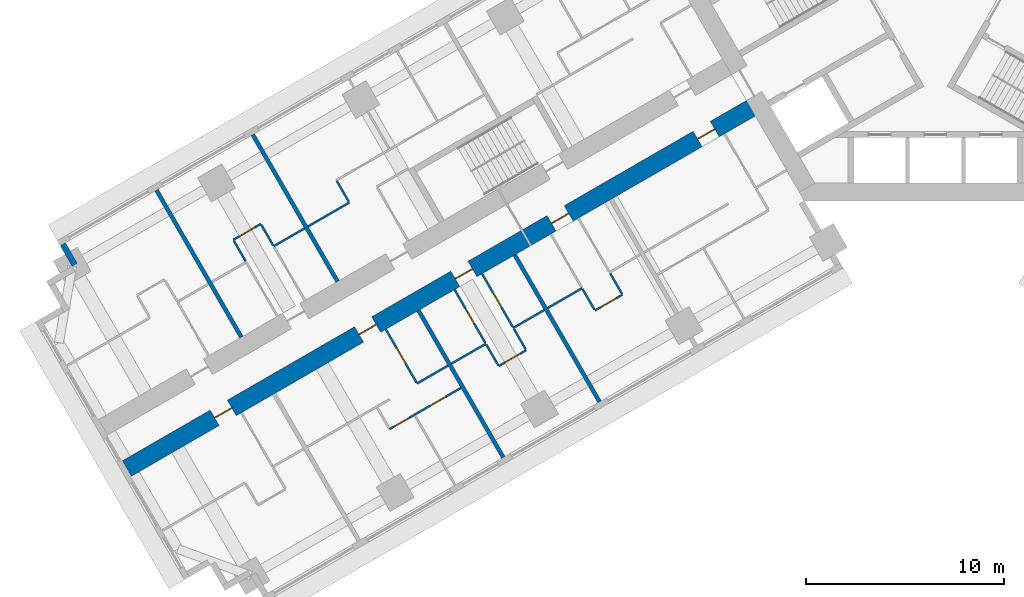
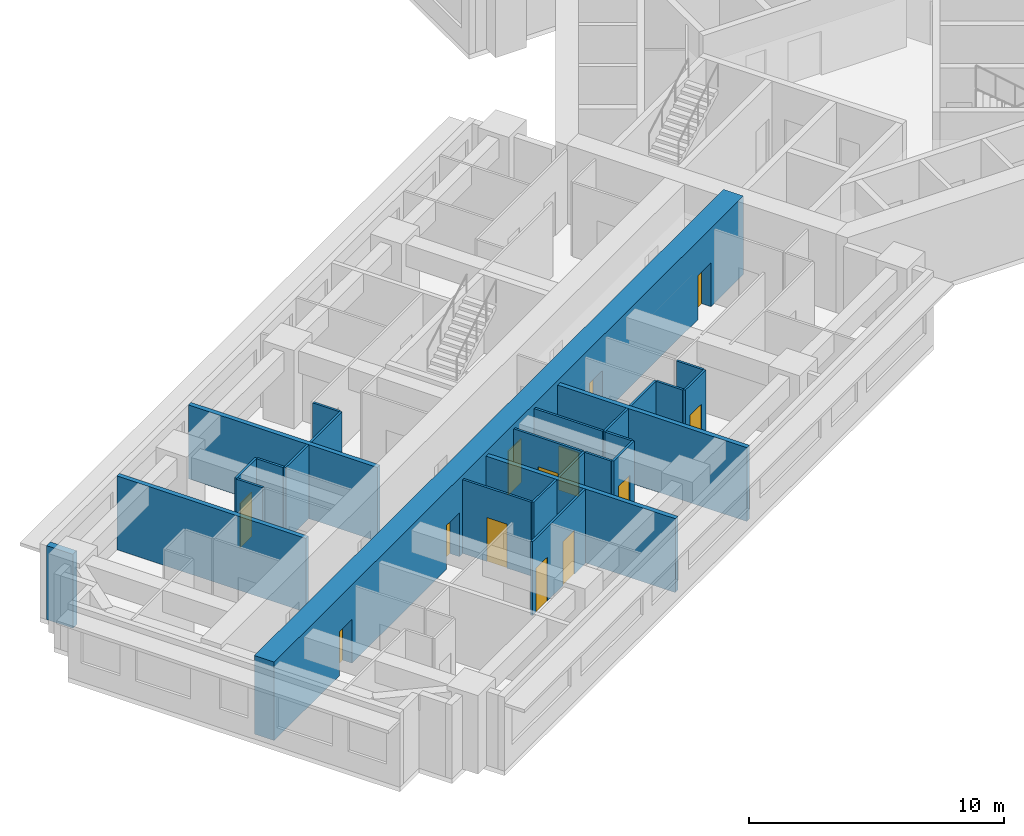
# One storey, part 4 of 16: 26 walls, 13 doors, 13 openings.
"""IFC4 building model written with IfcOpenShell, lengths in metres."""

from ifc_helpers import new_model, si_unit, direction, frame, frame_2d, origin, place, context, subcontext, project, spatial, rectangle, extrude, material, layer, layer_set, type_object, element, fill, save


model = new_model("IFC4")

# Units and contexts
model_context = context("Model", 3, precision=1e-05, world=origin(), true_north=direction((0.0, 1.0)))
body_context = subcontext(model_context, "Body", "Model", "MODEL_VIEW")
ifc_project = project(units=[si_unit("LENGTHUNIT", "METRE"), si_unit("AREAUNIT", "SQUARE_METRE"), si_unit("VOLUMEUNIT", "CUBIC_METRE"), si_unit("PLANEANGLEUNIT", "RADIAN"), si_unit("MASSUNIT", "GRAM", prefix="KILO")], contexts=[model_context])

# Site, building, storey
site_placement = place(None, origin())
site = spatial("IfcSite", under=ifc_project, at=site_placement, CompositionType="ELEMENT")
building_placement = place(site_placement, origin())
building = spatial("IfcBuilding", under=site, at=building_placement, Name="Impinga Residences", CompositionType="ELEMENT")
storey_placement = place(building_placement, frame((0.0, 0.0, 59.75)))
storey = spatial("IfcBuildingStorey", under=building, at=storey_placement, Name="L14", CompositionType="ELEMENT", Elevation=59.75)

# Wall, openings, doors
ifc_material_1 = material(Name="Concrete C70/85", Category="concrete")
ifc_layer_1 = layer(ifc_material_1, 0.89990234375)
ifc_layer_set_1 = layer_set([ifc_layer_1], Name="Concrete C70/85")
wall_type_1 = type_object("IfcWallType", Name="BW1 corridor buttress wall, L05 to L22 900", PredefinedType="SHEAR", material=ifc_layer_set_1)
wall_1_placement = place(storey_placement, frame((-8.910400390625, -6.530029296875, 0.0), z_axis=(0.0, 0.0, 1.0), x_axis=(-0.866025284237, -0.500000207062, 0.0)))
wall_1 = element("IfcWall", 1, at=wall_1_placement, inside=storey, type_object=wall_type_1, Name="Corridor wall BW1 WC L14", PredefinedType="SHEAR", context=body_context, shape_type="SweptSolid", body=[
    extrude(rectangle(XDim=36.75, YDim=0.89990234375, at=frame_2d((18.375, 0.0))), origin(), (0.0, 0.0, 1.0), 3.75),
])
opening_1_placement = place(wall_1_placement, frame((2.550048828125, 0.0, 0.0)))
opening_1 = element("IfcOpeningElement", 2, at=opening_1_placement, cuts=wall_1, Name="Opening D1", PredefinedType="OPENING", context=body_context, shape_type="SweptSolid", body=[
    extrude(rectangle(XDim=1.0, YDim=2.10009765625, at=frame_2d((0.5, 1.050048828125))), frame((0.0, 0.4599609375, 0.0), z_axis=(0.0, -1.0, 0.0), x_axis=(1.0, 0.0, 0.0)), (0.0, 0.0, 1.0), 0.919921875),
])
opening_2_placement = place(wall_1_placement, frame((11.050048828125, 0.0, 0.0)))
opening_2 = element("IfcOpeningElement", 3, at=opening_2_placement, cuts=wall_1, Name="Opening D1", PredefinedType="OPENING", context=body_context, shape_type="SweptSolid", body=[
    extrude(rectangle(XDim=1.0, YDim=2.10009765625, at=frame_2d((0.5, 1.050048828125))), frame((0.0, 0.4599609375, 0.0), z_axis=(0.0, -1.0, 0.0), x_axis=(1.0, 0.0, 0.0)), (0.0, 0.0, 1.0), 0.919921875),
])
opening_3_placement = place(wall_1_placement, frame((16.64990234375, 0.0, 0.0)))
opening_3 = element("IfcOpeningElement", 4, at=opening_3_placement, cuts=wall_1, Name="Opening D1", PredefinedType="OPENING", context=body_context, shape_type="SweptSolid", body=[
    extrude(rectangle(XDim=1.0, YDim=2.10009765625, at=frame_2d((0.5, 1.050048828125))), frame((0.0, 0.4599609375, 0.0), z_axis=(0.0, -1.0, 0.0), x_axis=(1.0, 0.0, 0.0)), (0.0, 0.0, 1.0), 0.919921875),
])
opening_4_placement = place(wall_1_placement, frame((22.25, 0.0, 0.0)))
opening_4 = element("IfcOpeningElement", 5, at=opening_4_placement, cuts=wall_1, Name="Opening D1", PredefinedType="OPENING", context=body_context, shape_type="SweptSolid", body=[
    extrude(rectangle(XDim=1.0, YDim=2.10009765625, at=frame_2d((0.5, 1.050048828125))), frame((0.0, 0.4599609375, 0.0), z_axis=(0.0, -1.0, 0.0), x_axis=(1.0, 0.0, 0.0)), (0.0, 0.0, 1.0), 0.919921875),
])
opening_5_placement = place(wall_1_placement, frame((30.64990234375, 0.0, 0.0)))
opening_5 = element("IfcOpeningElement", 6, at=opening_5_placement, cuts=wall_1, Name="Opening D1", PredefinedType="OPENING", context=body_context, shape_type="SweptSolid", body=[
    extrude(rectangle(XDim=1.0, YDim=2.10009765625, at=frame_2d((0.5, 1.050048828125))), frame((0.0, 0.4599609375, 0.0), z_axis=(0.0, -1.0, 0.0), x_axis=(1.0, 0.0, 0.0)), (0.0, 0.0, 1.0), 0.919921875),
])
ifc_material_2 = material(Name="Timber door set", Category="wood")
door_type_1 = type_object("IfcDoorType", Name="D1 apartment entrance door 1000x2100", OperationType="SINGLE_SWING_LEFT", PredefinedType="DOOR", material=ifc_material_2)
door_1_placement = place(opening_1_placement, origin())
door_1 = element("IfcDoor", 7, at=door_1_placement, inside=storey, type_object=door_type_1, Name="Apartment L14-WA1 entrance", OperationType="SINGLE_SWING_LEFT", OverallHeight=2.10009765625, OverallWidth=1.0, PredefinedType="DOOR", context=body_context, shape_type="SweptSolid", body=[
    extrude(rectangle(XDim=1.0, YDim=2.10009765625, at=frame_2d((0.5, 1.050048828125))), frame((0.0, 0.02490234375, 0.0), z_axis=(0.0, -1.0, 0.0), x_axis=(1.0, 0.0, 0.0)), (0.0, 0.0, 1.0), 0.050048828125),
])
fill(opening_1, door_1)
door_2_placement = place(opening_2_placement, origin())
door_2 = element("IfcDoor", 8, at=door_2_placement, inside=storey, type_object=door_type_1, Name="Apartment L14-WA2 entrance", OperationType="SINGLE_SWING_LEFT", OverallHeight=2.10009765625, OverallWidth=1.0, PredefinedType="DOOR", context=body_context, shape_type="SweptSolid", body=[
    extrude(rectangle(XDim=1.0, YDim=2.10009765625, at=frame_2d((0.5, 1.050048828125))), frame((0.0, 0.02490234375, 0.0), z_axis=(0.0, -1.0, 0.0), x_axis=(1.0, 0.0, 0.0)), (0.0, 0.0, 1.0), 0.050048828125),
])
fill(opening_2, door_2)
door_3_placement = place(opening_3_placement, origin())
door_3 = element("IfcDoor", 9, at=door_3_placement, inside=storey, type_object=door_type_1, Name="Apartment L14-WA3 entrance", OperationType="SINGLE_SWING_LEFT", OverallHeight=2.10009765625, OverallWidth=1.0, PredefinedType="DOOR", context=body_context, shape_type="SweptSolid", body=[
    extrude(rectangle(XDim=1.0, YDim=2.10009765625, at=frame_2d((0.5, 1.050048828125))), frame((0.0, 0.02490234375, 0.0), z_axis=(0.0, -1.0, 0.0), x_axis=(1.0, 0.0, 0.0)), (0.0, 0.0, 1.0), 0.050048828125),
])
fill(opening_3, door_3)
door_4_placement = place(opening_4_placement, origin())
door_4 = element("IfcDoor", 10, at=door_4_placement, inside=storey, type_object=door_type_1, Name="Apartment L14-WA4 entrance", OperationType="SINGLE_SWING_RIGHT", OverallHeight=2.10009765625, OverallWidth=1.0, PredefinedType="DOOR", context=body_context, shape_type="SweptSolid", body=[
    extrude(rectangle(XDim=1.0, YDim=2.10009765625, at=frame_2d((0.5, 1.050048828125))), frame((0.0, 0.02490234375, 0.0), z_axis=(0.0, -1.0, 0.0), x_axis=(1.0, 0.0, 0.0)), (0.0, 0.0, 1.0), 0.050048828125),
])
fill(opening_4, door_4)
door_5_placement = place(opening_5_placement, origin())
door_5 = element("IfcDoor", 11, at=door_5_placement, inside=storey, type_object=door_type_1, Name="Apartment L14-WA5 entrance", OperationType="SINGLE_SWING_RIGHT", OverallHeight=2.10009765625, OverallWidth=1.0, PredefinedType="DOOR", context=body_context, shape_type="SweptSolid", body=[
    extrude(rectangle(XDim=1.0, YDim=2.10009765625, at=frame_2d((0.5, 1.050048828125))), frame((0.0, 0.02490234375, 0.0), z_axis=(0.0, -1.0, 0.0), x_axis=(1.0, 0.0, 0.0)), (0.0, 0.0, 1.0), 0.050048828125),
])
fill(opening_5, door_5)

# Walls
ifc_material_3 = material(Name="Terracotta rainscreen on blockwork", Category="masonry")
ifc_layer_2 = layer(ifc_material_3, 0.300048828125)
ifc_layer_set_2 = layer_set([ifc_layer_2], Name="EW1 external wall, terracotta rainscreen on blockwork 300")
wall_type_2 = type_object("IfcWallType", Name="EW1 external wall, terracotta rainscreen on blockwork 300", PredefinedType="SOLIDWALL", material=ifc_layer_set_2)
wall_2_placement = place(storey_placement, frame((-43.37109375, -14.64208984375, 0.0), z_axis=(0.0, 0.0, 1.0), x_axis=(-0.500029051137, 0.866008630453, 0.0)))
element("IfcWall", 12, at=wall_2_placement, inside=storey, type_object=wall_type_2, Name="External wall EW1 L14", PredefinedType="SOLIDWALL", context=body_context, shape_type="SweptSolid", body=[
    extrude(rectangle(XDim=1.19482421875, YDim=0.300048828125, at=frame_2d((0.597412109375, 0.0))), origin(), (0.0, 0.0, 1.0), 3.530029296875),
])
ifc_material_4 = material(Name="Gypsum board on steel studs", Category="steel")
ifc_layer_3 = layer(ifc_material_4, 0.10009765625)
ifc_layer_set_3 = layer_set([ifc_layer_3], Name="Gypsum board on steel studs")
wall_type_3 = type_object("IfcWallType", Name="IP1 partition 100", PredefinedType="PARTITIONING", material=ifc_layer_set_3)
wall_3_placement = place(storey_placement, frame((-17.8056640625, -15.82275390625, 0.0), z_axis=(0.0, 0.0, 1.0), x_axis=(-0.866041268327, -0.499972520799, 0.0)))
element("IfcWall", 13, at=wall_3_placement, inside=storey, type_object=wall_type_3, Name="Partition L14-WA2:DIV1", PredefinedType="PARTITIONING", context=body_context, shape_type="SweptSolid", body=[
    extrude(rectangle(XDim=2.0, YDim=0.10009765625, at=frame_2d((1.0, 0.0))), origin(), (0.0, 0.0, 1.0), 3.530029296875),
])

# Wall, opening, door
wall_4_placement = place(storey_placement, frame((-15.77001953125, -16.1484375, 0.0), z_axis=(0.0, 0.0, 1.0), x_axis=(-0.866028054938, -0.499995408039, 0.0)))
wall_4 = element("IfcWall", 14, at=wall_4_placement, inside=storey, type_object=wall_type_3, Name="Partition L14-WA2:STRIP", PredefinedType="PARTITIONING", context=body_context, shape_type="SweptSolid", body=[
    extrude(rectangle(XDim=1.60009765625, YDim=0.10009765625, at=frame_2d((0.800048828125, 0.0))), origin(), (0.0, 0.0, 1.0), 3.530029296875),
])
opening_6_placement = place(wall_4_placement, frame((0.35009765625, 0.0, 0.0)))
opening_6 = element("IfcOpeningElement", 15, at=opening_6_placement, cuts=wall_4, Name="Opening D2", PredefinedType="OPENING", context=body_context, shape_type="SweptSolid", body=[
    extrude(rectangle(XDim=0.89990234375, YDim=2.10009765625, at=frame_2d((0.449951171875, 1.050048828125))), frame((0.0, 0.06005859375, 0.0), z_axis=(0.0, -1.0, 0.0), x_axis=(1.0, 0.0, 0.0)), (0.0, 0.0, 1.0), 0.1201171875),
])
door_type_2 = type_object("IfcDoorType", Name="D2 internal door 900x2100", OperationType="SINGLE_SWING_LEFT", PredefinedType="DOOR", material=ifc_material_2)
door_6_placement = place(opening_6_placement, origin())
door_6 = element("IfcDoor", 16, at=door_6_placement, inside=storey, type_object=door_type_2, Name="Apartment L14-WA2 room door", OperationType="SINGLE_SWING_LEFT", OverallHeight=2.10009765625, OverallWidth=0.89990234375, PredefinedType="DOOR", context=body_context, shape_type="SweptSolid", body=[
    extrude(rectangle(XDim=0.89990234375, YDim=2.10009765625, at=frame_2d((0.449951171875, 1.050048828125))), frame((0.0, 0.02490234375, 0.0), z_axis=(0.0, -1.0, 0.0), x_axis=(1.0, 0.0, 0.0)), (0.0, 0.0, 1.0), 0.050048828125),
])
fill(opening_6, door_6)

# Walls
wall_5_placement = place(storey_placement, frame((-16.39501953125, -15.06591796875, 0.0), z_axis=(0.0, 0.0, 1.0), x_axis=(0.499880961361, -0.866094119867, 0.0)))
element("IfcWall", 17, at=wall_5_placement, inside=storey, type_object=wall_type_3, Name="Partition L14-WA2:SE0", PredefinedType="PARTITIONING", context=body_context, shape_type="SweptSolid", body=[
    extrude(rectangle(XDim=1.199951171875, YDim=0.10009765625, at=frame_2d((0.60009765625, 0.0))), origin(), (0.0, 0.0, 1.0), 3.530029296875),
])
wall_6_placement = place(storey_placement, frame((-17.78076171875, -15.865966796875, 0.0), z_axis=(0.0, 0.0, 1.0), x_axis=(0.500033551112, -0.866006032174, 0.0)))
element("IfcWall", 18, at=wall_6_placement, inside=storey, type_object=wall_type_3, Name="Partition L14-WA2:SE1", PredefinedType="PARTITIONING", context=body_context, shape_type="SweptSolid", body=[
    extrude(rectangle(XDim=1.2001953125, YDim=0.10009765625, at=frame_2d((0.60009765625, 0.0))), origin(), (0.0, 0.0, 1.0), 3.530029296875),
])
wall_7_placement = place(storey_placement, frame((-19.7109375, -16.922607421875, 0.0), z_axis=(0.0, 0.0, 1.0), x_axis=(-0.865989075817, -0.500062916607, 0.0)))
element("IfcWall", 19, at=wall_7_placement, inside=storey, type_object=wall_type_3, Name="Partition L14-WA3:DIV0", PredefinedType="PARTITIONING", context=body_context, shape_type="SweptSolid", body=[
    extrude(rectangle(XDim=1.800048828125, YDim=0.10009765625, at=frame_2d((0.89990234375, 0.0))), origin(), (0.0, 0.0, 1.0), 3.530029296875),
])
wall_8_placement = place(storey_placement, frame((-22.655517578125, -18.622802734375, 0.0), z_axis=(0.0, 0.0, 1.0), x_axis=(-0.866010750942, -0.50002537861, 0.0)))
element("IfcWall", 20, at=wall_8_placement, inside=storey, type_object=wall_type_3, Name="Partition L14-WA3:DIV1", PredefinedType="PARTITIONING", context=body_context, shape_type="SweptSolid", body=[
    extrude(rectangle(XDim=2.0, YDim=0.10009765625, at=frame_2d((1.0, 0.0))), origin(), (0.0, 0.0, 1.0), 3.530029296875),
])

# Wall, opening, door
wall_9_placement = place(storey_placement, frame((-20.619873046875, -18.948486328125, 0.0), z_axis=(0.0, 0.0, 1.0), x_axis=(-0.865989903783, -0.500061482766, 0.0)))
wall_9 = element("IfcWall", 21, at=wall_9_placement, inside=storey, type_object=wall_type_3, Name="Partition L14-WA3:STRIP", PredefinedType="PARTITIONING", context=body_context, shape_type="SweptSolid", body=[
    extrude(rectangle(XDim=1.599853515625, YDim=0.10009765625, at=frame_2d((0.7998046875, 0.0))), origin(), (0.0, 0.0, 1.0), 3.530029296875),
])
opening_7_placement = place(wall_9_placement, frame((0.35009765625, 0.0, 0.0)))
opening_7 = element("IfcOpeningElement", 22, at=opening_7_placement, cuts=wall_9, Name="Opening D2", PredefinedType="OPENING", context=body_context, shape_type="SweptSolid", body=[
    extrude(rectangle(XDim=0.89990234375, YDim=2.10009765625, at=frame_2d((0.449951171875, 1.050048828125))), frame((0.0, 0.06005859375, 0.0), z_axis=(0.0, -1.0, 0.0), x_axis=(1.0, 0.0, 0.0)), (0.0, 0.0, 1.0), 0.1201171875),
])
door_7_placement = place(opening_7_placement, origin())
door_7 = element("IfcDoor", 23, at=door_7_placement, inside=storey, type_object=door_type_2, Name="Apartment L14-WA3 room door", OperationType="SINGLE_SWING_LEFT", OverallHeight=2.10009765625, OverallWidth=0.89990234375, PredefinedType="DOOR", context=body_context, shape_type="SweptSolid", body=[
    extrude(rectangle(XDim=0.89990234375, YDim=2.10009765625, at=frame_2d((0.449951171875, 1.050048828125))), frame((0.0, 0.02490234375, 0.0), z_axis=(0.0, -1.0, 0.0), x_axis=(1.0, 0.0, 0.0)), (0.0, 0.0, 1.0), 0.050048828125),
])
fill(opening_7, door_7)

# Walls
wall_10_placement = place(storey_placement, frame((-21.244873046875, -17.865966796875, 0.0), z_axis=(0.0, 0.0, 1.0), x_axis=(0.500033551112, -0.866006032174, 0.0)))
element("IfcWall", 24, at=wall_10_placement, inside=storey, type_object=wall_type_3, Name="Partition L14-WA3:SE0", PredefinedType="PARTITIONING", context=body_context, shape_type="SweptSolid", body=[
    extrude(rectangle(XDim=1.2001953125, YDim=0.10009765625, at=frame_2d((0.60009765625, 0.0))), origin(), (0.0, 0.0, 1.0), 3.530029296875),
])
wall_11_placement = place(storey_placement, frame((-22.63037109375, -18.666015625, 0.0), z_axis=(0.0, 0.0, 1.0), x_axis=(0.499880961361, -0.866094119867, 0.0)))
element("IfcWall", 25, at=wall_11_placement, inside=storey, type_object=wall_type_3, Name="Partition L14-WA3:SE1", PredefinedType="PARTITIONING", context=body_context, shape_type="SweptSolid", body=[
    extrude(rectangle(XDim=1.199951171875, YDim=0.10009765625, at=frame_2d((0.60009765625, 0.0))), origin(), (0.0, 0.0, 1.0), 3.530029296875),
])

# Wall, opening, door
wall_12_placement = place(storey_placement, frame((-22.8447265625, -15.0947265625, 0.0), z_axis=(0.0, 0.0, 1.0), x_axis=(0.499967891604, -0.866043940782, 0.0)))
wall_12 = element("IfcWall", 26, at=wall_12_placement, inside=storey, type_object=wall_type_3, Name="Partition L14-WA3:IB1", PredefinedType="PARTITIONING", context=body_context, shape_type="SweptSolid", body=[
    extrude(rectangle(XDim=3.099853515625, YDim=0.10009765625, at=frame_2d((1.5498046875, 0.0))), origin(), (0.0, 0.0, 1.0), 3.530029296875),
])
opening_8_placement = place(wall_12_placement, frame((1.10009765625, 0.0, 0.0)))
opening_8 = element("IfcOpeningElement", 27, at=opening_8_placement, cuts=wall_12, Name="Opening D2", PredefinedType="OPENING", context=body_context, shape_type="SweptSolid", body=[
    extrude(rectangle(XDim=0.89990234375, YDim=2.10009765625, at=frame_2d((0.449951171875, 1.050048828125))), frame((0.0, 0.06005859375, 0.0), z_axis=(0.0, -1.0, 0.0), x_axis=(1.0, 0.0, 0.0)), (0.0, 0.0, 1.0), 0.1201171875),
])
door_8_placement = place(opening_8_placement, origin())
door_8 = element("IfcDoor", 28, at=door_8_placement, inside=storey, type_object=door_type_2, Name="Apartment L14-WA3 bathroom door", OperationType="SINGLE_SWING_LEFT", OverallHeight=2.10009765625, OverallWidth=0.89990234375, PredefinedType="DOOR", context=body_context, shape_type="SweptSolid", body=[
    extrude(rectangle(XDim=0.89990234375, YDim=2.10009765625, at=frame_2d((0.449951171875, 1.050048828125))), frame((0.0, 0.02490234375, 0.0), z_axis=(0.0, -1.0, 0.0), x_axis=(1.0, 0.0, 0.0)), (0.0, 0.0, 1.0), 0.050048828125),
])
fill(opening_8, door_8)

wall_13_placement = place(storey_placement, frame((-24.23046875, -15.894775390625, 0.0), z_axis=(0.0, 0.0, 1.0), x_axis=(0.500026960575, -0.86600983753, 0.0)))
wall_13 = element("IfcWall", 29, at=wall_13_placement, inside=storey, type_object=wall_type_3, Name="Partition L14-WA3:IB2", PredefinedType="PARTITIONING", context=body_context, shape_type="SweptSolid", body=[
    extrude(rectangle(XDim=3.099853515625, YDim=0.10009765625, at=frame_2d((1.5498046875, 0.0))), origin(), (0.0, 0.0, 1.0), 3.530029296875),
])
opening_9_placement = place(wall_13_placement, frame((1.10009765625, 0.0, 0.0)))
opening_9 = element("IfcOpeningElement", 30, at=opening_9_placement, cuts=wall_13, Name="Opening D2", PredefinedType="OPENING", context=body_context, shape_type="SweptSolid", body=[
    extrude(rectangle(XDim=0.89990234375, YDim=2.10009765625, at=frame_2d((0.449951171875, 1.050048828125))), frame((0.0, 0.06005859375, 0.0), z_axis=(0.0, -1.0, 0.0), x_axis=(1.0, 0.0, 0.0)), (0.0, 0.0, 1.0), 0.1201171875),
])
door_9_placement = place(opening_9_placement, origin())
door_9 = element("IfcDoor", 31, at=door_9_placement, inside=storey, type_object=door_type_2, Name="Apartment L14-WA3 WC door", OperationType="SINGLE_SWING_LEFT", OverallHeight=2.10009765625, OverallWidth=0.89990234375, PredefinedType="DOOR", context=body_context, shape_type="SweptSolid", body=[
    extrude(rectangle(XDim=0.89990234375, YDim=2.10009765625, at=frame_2d((0.449951171875, 1.050048828125))), frame((0.0, 0.02490234375, 0.0), z_axis=(0.0, -1.0, 0.0), x_axis=(1.0, 0.0, 0.0)), (0.0, 0.0, 1.0), 0.050048828125),
])
fill(opening_9, door_9)

# Wall
wall_14_placement = place(storey_placement, frame((-24.560791015625, -19.72265625, 0.0), z_axis=(0.0, 0.0, 1.0), x_axis=(-0.865989075817, -0.500062916607, 0.0)))
element("IfcWall", 32, at=wall_14_placement, inside=storey, type_object=wall_type_3, Name="Partition L14-WA4:DIV0", PredefinedType="PARTITIONING", context=body_context, shape_type="SweptSolid", body=[
    extrude(rectangle(XDim=1.800048828125, YDim=0.10009765625, at=frame_2d((0.89990234375, 0.0))), origin(), (0.0, 0.0, 1.0), 3.530029296875),
])

# Wall, openings, doors
wall_15_placement = place(storey_placement, frame((-23.91064453125, -20.8486328125, 0.0), z_axis=(0.0, 0.0, 1.0), x_axis=(-0.86602981871, -0.499992353047, 0.0)))
wall_15 = element("IfcWall", 33, at=wall_15_placement, inside=storey, type_object=wall_type_3, Name="Partition L14-WA4:STRIP", PredefinedType="PARTITIONING", context=body_context, shape_type="SweptSolid", body=[
    extrude(rectangle(XDim=4.14990234375, YDim=0.10009765625, at=frame_2d((2.074951171875, 0.0))), origin(), (0.0, 0.0, 1.0), 3.530029296875),
])
opening_10_placement = place(wall_15_placement, frame((0.875, 0.0, 0.0)))
opening_10 = element("IfcOpeningElement", 34, at=opening_10_placement, cuts=wall_15, Name="Opening D2", PredefinedType="OPENING", context=body_context, shape_type="SweptSolid", body=[
    extrude(rectangle(XDim=0.89990234375, YDim=2.10009765625, at=frame_2d((0.449951171875, 1.050048828125))), frame((0.0, 0.06005859375, 0.0), z_axis=(0.0, -1.0, 0.0), x_axis=(1.0, 0.0, 0.0)), (0.0, 0.0, 1.0), 0.1201171875),
])
opening_11_placement = place(wall_15_placement, frame((3.0, 0.0, 0.0)))
opening_11 = element("IfcOpeningElement", 35, at=opening_11_placement, cuts=wall_15, Name="Opening D2", PredefinedType="OPENING", context=body_context, shape_type="SweptSolid", body=[
    extrude(rectangle(XDim=0.89990234375, YDim=2.10009765625, at=frame_2d((0.449951171875, 1.050048828125))), frame((0.0, 0.06005859375, 0.0), z_axis=(0.0, -1.0, 0.0), x_axis=(1.0, 0.0, 0.0)), (0.0, 0.0, 1.0), 0.1201171875),
])
door_10_placement = place(opening_10_placement, origin())
door_10 = element("IfcDoor", 36, at=door_10_placement, inside=storey, type_object=door_type_2, Name="Apartment L14-WA4 room door", OperationType="SINGLE_SWING_LEFT", OverallHeight=2.10009765625, OverallWidth=0.89990234375, PredefinedType="DOOR", context=body_context, shape_type="SweptSolid", body=[
    extrude(rectangle(XDim=0.89990234375, YDim=2.10009765625, at=frame_2d((0.449951171875, 1.050048828125))), frame((0.0, 0.02490234375, 0.0), z_axis=(0.0, -1.0, 0.0), x_axis=(1.0, 0.0, 0.0)), (0.0, 0.0, 1.0), 0.050048828125),
])
fill(opening_10, door_10)
door_11_placement = place(opening_11_placement, origin())
door_11 = element("IfcDoor", 37, at=door_11_placement, inside=storey, type_object=door_type_2, Name="Apartment L14-WA4 room door", OperationType="SINGLE_SWING_RIGHT", OverallHeight=2.10009765625, OverallWidth=0.89990234375, PredefinedType="DOOR", context=body_context, shape_type="SweptSolid", body=[
    extrude(rectangle(XDim=0.89990234375, YDim=2.10009765625, at=frame_2d((0.449951171875, 1.050048828125))), frame((0.0, 0.02490234375, 0.0), z_axis=(0.0, -1.0, 0.0), x_axis=(1.0, 0.0, 0.0)), (0.0, 0.0, 1.0), 0.050048828125),
])
fill(opening_11, door_11)

# Wall, opening, door
wall_16_placement = place(storey_placement, frame((-27.694580078125, -17.894775390625, 0.0), z_axis=(0.0, 0.0, 1.0), x_axis=(0.500026960575, -0.86600983753, 0.0)))
wall_16 = element("IfcWall", 38, at=wall_16_placement, inside=storey, type_object=wall_type_3, Name="Partition L14-WA4:IB1", PredefinedType="PARTITIONING", context=body_context, shape_type="SweptSolid", body=[
    extrude(rectangle(XDim=3.099853515625, YDim=0.10009765625, at=frame_2d((1.5498046875, 0.0))), origin(), (0.0, 0.0, 1.0), 3.530029296875),
])
opening_12_placement = place(wall_16_placement, frame((1.10009765625, 0.0, 0.0)))
opening_12 = element("IfcOpeningElement", 39, at=opening_12_placement, cuts=wall_16, Name="Opening D2", PredefinedType="OPENING", context=body_context, shape_type="SweptSolid", body=[
    extrude(rectangle(XDim=0.89990234375, YDim=2.10009765625, at=frame_2d((0.449951171875, 1.050048828125))), frame((0.0, 0.06005859375, 0.0), z_axis=(0.0, -1.0, 0.0), x_axis=(1.0, 0.0, 0.0)), (0.0, 0.0, 1.0), 0.1201171875),
])
door_12_placement = place(opening_12_placement, origin())
door_12 = element("IfcDoor", 40, at=door_12_placement, inside=storey, type_object=door_type_2, Name="Apartment L14-WA4 bathroom door", OperationType="SINGLE_SWING_LEFT", OverallHeight=2.10009765625, OverallWidth=0.89990234375, PredefinedType="DOOR", context=body_context, shape_type="SweptSolid", body=[
    extrude(rectangle(XDim=0.89990234375, YDim=2.10009765625, at=frame_2d((0.449951171875, 1.050048828125))), frame((0.0, 0.02490234375, 0.0), z_axis=(0.0, -1.0, 0.0), x_axis=(1.0, 0.0, 0.0)), (0.0, 0.0, 1.0), 0.050048828125),
])
fill(opening_12, door_12)

# Walls
wall_17_placement = place(storey_placement, frame((-29.533935546875, -11.5087890625, 0.0), z_axis=(0.0, 0.0, 1.0), x_axis=(-0.866024647952, -0.500001309137, 0.0)))
element("IfcWall", 41, at=wall_17_placement, inside=storey, type_object=wall_type_3, Name="Partition L14-WF2:DIV1", PredefinedType="PARTITIONING", context=body_context, shape_type="SweptSolid", body=[
    extrude(rectangle(XDim=2.39990234375, YDim=0.10009765625, at=frame_2d((1.199951171875, 0.0))), origin(), (0.0, 0.0, 1.0), 3.530029296875),
])
wall_18_placement = place(storey_placement, frame((-29.558837890625, -11.465576171875, 0.0), z_axis=(0.0, 0.0, 1.0), x_axis=(-0.500033551112, 0.866006032174, 0.0)))
element("IfcWall", 42, at=wall_18_placement, inside=storey, type_object=wall_type_3, Name="Partition L14-WF2:SE1", PredefinedType="PARTITIONING", context=body_context, shape_type="SweptSolid", body=[
    extrude(rectangle(XDim=1.2001953125, YDim=0.10009765625, at=frame_2d((0.60009765625, 0.0))), origin(), (0.0, 0.0, 1.0), 3.530029296875),
])
wall_19_placement = place(storey_placement, frame((-31.78564453125, -12.808837890625, 0.0), z_axis=(0.0, 0.0, 1.0), x_axis=(-0.866047807691, -0.499961193289, 0.0)))
element("IfcWall", 43, at=wall_19_placement, inside=storey, type_object=wall_type_3, Name="Partition L14-WF3:DIV0", PredefinedType="PARTITIONING", context=body_context, shape_type="SweptSolid", body=[
    extrude(rectangle(XDim=1.800048828125, YDim=0.10009765625, at=frame_2d((0.89990234375, 0.0))), origin(), (0.0, 0.0, 1.0), 3.530029296875),
])

# Wall, opening, door
wall_20_placement = place(storey_placement, frame((-33.994384765625, -12.5830078125, 0.0), z_axis=(0.0, 0.0, 1.0), x_axis=(-0.866028054938, -0.499995408039, 0.0)))
wall_20 = element("IfcWall", 44, at=wall_20_placement, inside=storey, type_object=wall_type_3, Name="Partition L14-WF3:STRIP", PredefinedType="PARTITIONING", context=body_context, shape_type="SweptSolid", body=[
    extrude(rectangle(XDim=1.60009765625, YDim=0.10009765625, at=frame_2d((0.800048828125, 0.0))), origin(), (0.0, 0.0, 1.0), 3.530029296875),
])
opening_13_placement = place(wall_20_placement, frame((0.35009765625, 0.0, 0.0)))
opening_13 = element("IfcOpeningElement", 45, at=opening_13_placement, cuts=wall_20, Name="Opening D2", PredefinedType="OPENING", context=body_context, shape_type="SweptSolid", body=[
    extrude(rectangle(XDim=0.89990234375, YDim=2.10009765625, at=frame_2d((0.449951171875, 1.050048828125))), frame((0.0, 0.06005859375, 0.0), z_axis=(0.0, -1.0, 0.0), x_axis=(1.0, 0.0, 0.0)), (0.0, 0.0, 1.0), 0.1201171875),
])
door_13_placement = place(opening_13_placement, origin())
door_13 = element("IfcDoor", 46, at=door_13_placement, inside=storey, type_object=door_type_2, Name="Apartment L14-WF3 room door", OperationType="SINGLE_SWING_LEFT", OverallHeight=2.10009765625, OverallWidth=0.89990234375, PredefinedType="DOOR", context=body_context, shape_type="SweptSolid", body=[
    extrude(rectangle(XDim=0.89990234375, YDim=2.10009765625, at=frame_2d((0.449951171875, 1.050048828125))), frame((0.0, 0.02490234375, 0.0), z_axis=(0.0, -1.0, 0.0), x_axis=(1.0, 0.0, 0.0)), (0.0, 0.0, 1.0), 0.050048828125),
])
fill(opening_13, door_13)

# Walls
wall_21_placement = place(storey_placement, frame((-33.369384765625, -13.66552734375, 0.0), z_axis=(0.0, 0.0, 1.0), x_axis=(-0.500033551112, 0.866006032174, 0.0)))
element("IfcWall", 47, at=wall_21_placement, inside=storey, type_object=wall_type_3, Name="Partition L14-WF3:SE0", PredefinedType="PARTITIONING", context=body_context, shape_type="SweptSolid", body=[
    extrude(rectangle(XDim=1.2001953125, YDim=0.10009765625, at=frame_2d((0.60009765625, 0.0))), origin(), (0.0, 0.0, 1.0), 3.530029296875),
])
wall_22_placement = place(storey_placement, frame((-34.755126953125, -14.465576171875, 0.0), z_axis=(0.0, 0.0, 1.0), x_axis=(-0.499880961361, 0.866094119867, 0.0)))
element("IfcWall", 48, at=wall_22_placement, inside=storey, type_object=wall_type_3, Name="Partition L14-WF3:SE1", PredefinedType="PARTITIONING", context=body_context, shape_type="SweptSolid", body=[
    extrude(rectangle(XDim=1.199951171875, YDim=0.10009765625, at=frame_2d((0.60009765625, 0.0))), origin(), (0.0, 0.0, 1.0), 3.530029296875),
])
ifc_material_5 = material(Name="Concrete blockwork", Category="masonry")
ifc_layer_4 = layer(ifc_material_5, 0.199951171875)
ifc_layer_set_4 = layer_set([ifc_layer_4], Name="PW1 party wall between apartments 200")
wall_type_4 = type_object("IfcWallType", Name="PW1 party wall between apartments 200", PredefinedType="SOLIDWALL", material=ifc_layer_set_4)
wall_23_placement = place(storey_placement, frame((-21.199462890625, -14.144775390625, 0.0), z_axis=(0.0, 0.0, 1.0), x_axis=(0.500011643316, -0.866018681408, 0.0)))
element("IfcWall", 49, at=wall_23_placement, inside=storey, type_object=wall_type_4, Name="Party wall between apartments L14-WA2:PARTY", PredefinedType="SOLIDWALL", context=body_context, shape_type="SweptSolid", body=[
    extrude(rectangle(XDim=8.550048828125, YDim=0.199951171875, at=frame_2d((4.27490234375, 0.0))), origin(), (0.0, 0.0, 1.0), 3.530029296875),
])
wall_24_placement = place(storey_placement, frame((-26.049072265625, -16.94482421875, 0.0), z_axis=(0.0, 0.0, 1.0), x_axis=(0.500002592159, -0.866023907196, 0.0)))
element("IfcWall", 50, at=wall_24_placement, inside=storey, type_object=wall_type_4, Name="Party wall between apartments L14-WA3:PARTY", PredefinedType="SOLIDWALL", context=body_context, shape_type="SweptSolid", body=[
    extrude(rectangle(XDim=8.5498046875, YDim=0.199951171875, at=frame_2d((4.27490234375, 0.0))), origin(), (0.0, 0.0, 1.0), 3.530029296875),
])
for number, where, z_axis, x_axis, name in (
    (51, (-30.1240234375, -15.48681640625, 0.0), (0.0, 0.0, 1.0), (-0.499990227581, 0.86603104582, 0.0), "Party wall between apartments L14-WF2:PARTY"),
    (52, (-34.9736328125, -18.286865234375, 0.0), (0.0, 0.0, 1.0), (-0.500011643316, 0.866018681408, 0.0), "Party wall between apartments L14-WF3:PARTY"),
):
    element("IfcWall", number, at=place(storey_placement, frame(where, z_axis=z_axis, x_axis=x_axis)), inside=storey, type_object=wall_type_4, Name=name, PredefinedType="SOLIDWALL", context=body_context, shape_type="SweptSolid", body=[
        extrude(rectangle(XDim=8.550048828125, YDim=0.199951171875, at=frame_2d((4.27490234375, 0.0))), origin(), (0.0, 0.0, 1.0), 3.530029296875),
    ])

save(model, "model.ifc")
